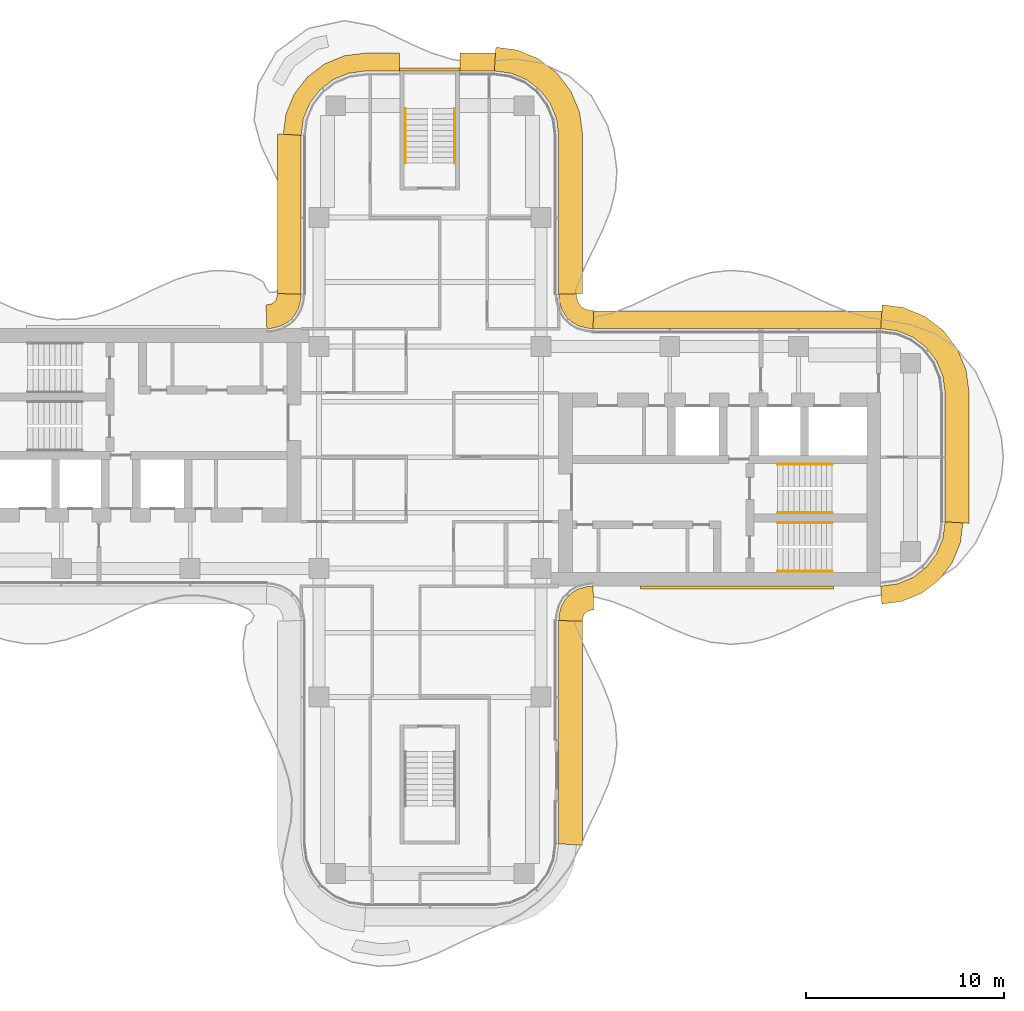
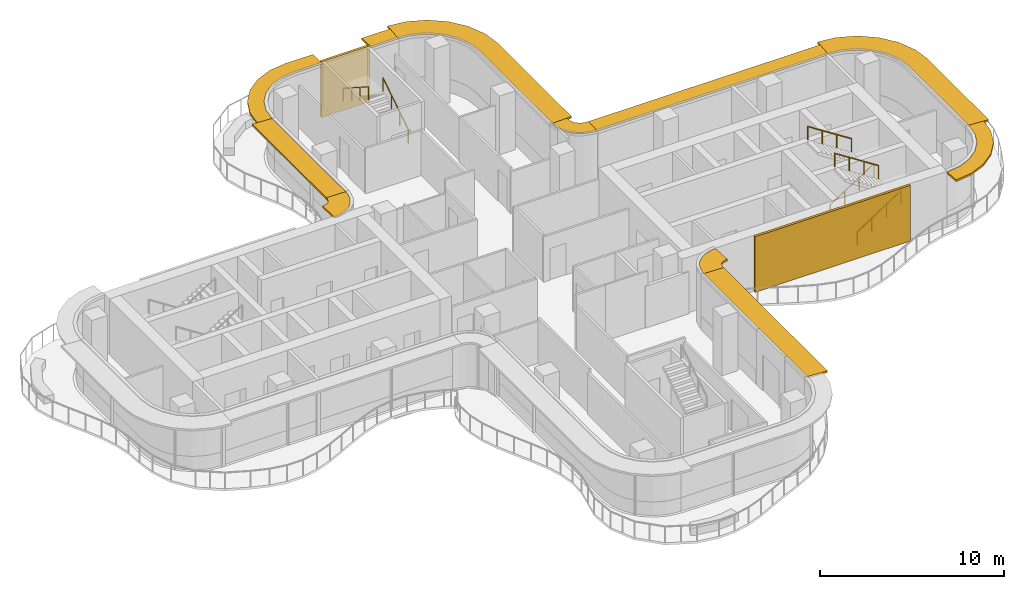
# One storey, part 16 of 16: 11 shading devices, 6 railings, 2 coverings.
"""IFC4 building model written with IfcOpenShell, lengths in metres."""

from ifc_helpers import new_model, si_unit, direction, frame, origin, origin_2d, place, context, subcontext, project, spatial, polyline, circle, outline, extrude, source, transform, mapped, material, layer, layer_set, type_object, element, save


model = new_model("IFC4")

# Units and contexts
model_context = context("Model", 3, precision=1e-05, world=origin(), true_north=direction((0.0, 1.0)))
body_context = subcontext(model_context, "Body", "Model", "MODEL_VIEW")
ifc_project = project(units=[si_unit("LENGTHUNIT", "METRE"), si_unit("AREAUNIT", "SQUARE_METRE"), si_unit("VOLUMEUNIT", "CUBIC_METRE"), si_unit("PLANEANGLEUNIT", "RADIAN"), si_unit("MASSUNIT", "GRAM", prefix="KILO")], contexts=[model_context])

# Site, building, storey
site_placement = place(None, origin())
site = spatial("IfcSite", under=ifc_project, at=site_placement, CompositionType="ELEMENT")
building_placement = place(site_placement, origin())
building = spatial("IfcBuilding", under=site, at=building_placement, Name="Trellis Farm Tower", CompositionType="ELEMENT")
storey_placement = place(building_placement, frame((0.0, 0.0, 318.39990234375)))
storey = spatial("IfcBuildingStorey", under=building, at=storey_placement, Name="L72", CompositionType="ELEMENT", Elevation=318.39990234375)

# Covering
ifc_material_1 = material(Name="Perforated precast screen (cobogo)", Category="concrete")
ifc_layer_1 = layer(ifc_material_1, 0.14990234375)
ifc_layer_set_1 = layer_set([ifc_layer_1], Name="COBOGO SCREEN PANEL")
covering_type = type_object("IfcCoveringType", Name="COBOGO SCREEN PANEL", PredefinedType="USERDEFINED", material=ifc_layer_set_1)
placement_1 = place(storey_placement, origin())
element("IfcCovering", 1, at=placement_1, inside=storey, type_object=covering_type, Name="SC1 02", ObjectType="SCREEN", PredefinedType="USERDEFINED", context=body_context, shape_type="SweptSolid", body=[
    extrude(outline(polyline([(1.530029296875, 19.64990234375), (-1.530029296875, 19.64990234375), (-1.530029296875, 19.5), (1.530029296875, 19.5), (1.530029296875, 19.64990234375)])), origin(), (0.0, 0.0, 1.0), 3.7001953125),
])

# Railings
ifc_material_2 = material(Name="Stainless steel", Category="steel")
railing_type = type_object("IfcRailingType", Name="STAIR HANDRAIL 900", PredefinedType="HANDRAIL", material=ifc_material_2)
shared_shape_1 = source(origin(), body_context, "Body", "SweptSolid", [
    extrude(circle(Radius=0.02392578125, at=origin_2d()), frame((0.0, 0.0, 0.8759765625), z_axis=(0.0, 0.840503830235, 0.541805602924), x_axis=(-1.0, 0.0, 0.0)), (0.0, 0.0, 1.0), 3.271728515625),
    extrude(circle(Radius=0.02099609375, at=origin_2d()), origin(), (0.0, 0.0, 1.0), 0.851806640625),
    extrude(circle(Radius=0.02099609375, at=origin_2d()), frame((0.0, 0.916748046875, 0.5908203125)), (0.0, 0.0, 1.0), 0.851806640625),
    extrude(circle(Radius=0.02099609375, at=origin_2d()), frame((0.0, 1.833251953125, 1.181884765625)), (0.0, 0.0, 1.0), 0.851806640625),
    extrude(circle(Radius=0.02099609375, at=origin_2d()), frame((0.0, 2.75, 1.772705078125)), (0.0, 0.0, 1.0), 0.851806640625),
])
railing_1_placement = place(storey_placement, frame((1.25, 14.85009765625, 0.177490234375)))
element("IfcRailing", 2, at=railing_1_placement, inside=storey, type_object=railing_type, Name="Stair handrail", PredefinedType="HANDRAIL", context=body_context, shape_type="MappedRepresentation", body=[
    mapped(shared_shape_1, transform((0.0, 0.0, 0.0))),
])
shared_shape_2 = source(origin(), body_context, "Body", "SweptSolid", [
    extrude(circle(Radius=0.02392578125, at=origin_2d()), frame((0.0, 0.0, 0.8759765625), z_axis=(0.0, -0.840503830235, 0.541805602924), x_axis=(1.0, 0.0, 0.0)), (0.0, 0.0, 1.0), 3.271728515625),
    extrude(circle(Radius=0.02099609375, at=origin_2d()), origin(), (0.0, 0.0, 1.0), 0.851806640625),
    extrude(circle(Radius=0.02099609375, at=origin_2d()), frame((0.0, -0.916748046875, 0.5908203125)), (0.0, 0.0, 1.0), 0.851806640625),
    extrude(circle(Radius=0.02099609375, at=origin_2d()), frame((0.0, -1.833251953125, 1.181884765625)), (0.0, 0.0, 1.0), 0.851806640625),
    extrude(circle(Radius=0.02099609375, at=origin_2d()), frame((0.0, -2.75, 1.772705078125)), (0.0, 0.0, 1.0), 0.851806640625),
])
railing_2_placement = place(storey_placement, frame((-1.25, 17.60009765625, 2.12744140625)))
element("IfcRailing", 3, at=railing_2_placement, inside=storey, type_object=railing_type, Name="Stair handrail", PredefinedType="HANDRAIL", context=body_context, shape_type="MappedRepresentation", body=[
    mapped(shared_shape_2, transform((0.0, 0.0, 0.0))),
])
shared_shape_3 = source(origin(), body_context, "Body", "SweptSolid", [
    extrude(circle(Radius=0.02392578125, at=origin_2d()), frame((0.0, 0.0, 0.8759765625), z_axis=(0.840503830235, 0.0, 0.541805602924), x_axis=(0.0, 1.0, 0.0)), (0.0, 0.0, 1.0), 3.271728515625),
    extrude(circle(Radius=0.02099609375, at=origin_2d()), origin(), (0.0, 0.0, 1.0), 0.851806640625),
    extrude(circle(Radius=0.02099609375, at=origin_2d()), frame((0.916748046875, 0.0, 0.5908203125)), (0.0, 0.0, 1.0), 0.851806640625),
    extrude(circle(Radius=0.02099609375, at=origin_2d()), frame((1.833251953125, 0.0, 1.181884765625)), (0.0, 0.0, 1.0), 0.851806640625),
    extrude(circle(Radius=0.02099609375, at=origin_2d()), frame((2.75, 0.0, 1.772705078125)), (0.0, 0.0, 1.0), 0.851806640625),
])
for number, where, name in (
    (4, (17.550048828125, -5.75, 0.177490234375), "Stair handrail"),
    (5, (17.550048828125, -2.800048828125, 0.177490234375), "Stair handrail"),
):
    element("IfcRailing", number, at=place(storey_placement, frame(where)), inside=storey, type_object=railing_type, Name=name, PredefinedType="HANDRAIL", context=body_context, shape_type="MappedRepresentation", body=[
        mapped(shared_shape_3, transform((0.0, 0.0, 0.0))),
    ])
shared_shape_4 = source(origin(), body_context, "Body", "SweptSolid", [
    extrude(circle(Radius=0.02392578125, at=origin_2d()), frame((0.0, 0.0, 0.8759765625), z_axis=(-0.840503830235, 0.0, 0.541805602924), x_axis=(0.0, -1.0, 0.0)), (0.0, 0.0, 1.0), 3.271728515625),
    extrude(circle(Radius=0.02099609375, at=origin_2d()), origin(), (0.0, 0.0, 1.0), 0.851806640625),
    extrude(circle(Radius=0.02099609375, at=origin_2d()), frame((-0.916748046875, 0.0, 0.5908203125)), (0.0, 0.0, 1.0), 0.851806640625),
    extrude(circle(Radius=0.02099609375, at=origin_2d()), frame((-1.833251953125, 0.0, 1.181884765625)), (0.0, 0.0, 1.0), 0.851806640625),
    extrude(circle(Radius=0.02099609375, at=origin_2d()), frame((-2.75, 0.0, 1.772705078125)), (0.0, 0.0, 1.0), 0.851806640625),
])
for number, where, name in (
    (6, (20.300048828125, -3.300048828125, 2.12744140625), "Stair handrail"),
    (7, (20.300048828125, -0.35009765625, 2.12744140625), "Stair handrail"),
):
    element("IfcRailing", number, at=place(storey_placement, frame(where)), inside=storey, type_object=railing_type, Name=name, PredefinedType="HANDRAIL", context=body_context, shape_type="MappedRepresentation", body=[
        mapped(shared_shape_4, transform((0.0, 0.0, 0.0))),
    ])

# Shading devices
ifc_material_3 = material(Name="Aluminium extrusion 6063-T6", Category="aluminium")
ifc_layer_2 = layer(ifc_material_3, 0.1201171875)
ifc_layer_set_2 = layer_set([ifc_layer_2], Name="SUNSHADE BLADE 1200")
shading_device_type_1 = type_object("IfcShadingDeviceType", Name="SUNSHADE BLADE 1200", PredefinedType="USERDEFINED", material=ifc_layer_set_2)
shared_shape_5 = source(origin(), body_context, "Body", "SweptSolid", [
    extrude(outline(polyline([(7.699951171875, -8.270751953125), (7.708740234375, -8.13720703125), (7.70703125, -8.150146484375), (7.7548828125, -7.9716796875), (7.80712890625, -7.881103515625), (7.881103515625, -7.80712890625), (7.9716796875, -7.7548828125), (8.150146484375, -7.70703125), (8.13720703125, -7.708740234375), (8.270751953125, -7.699951171875), (8.2314453125, -6.5), (8.01953125, -6.513916015625), (7.91552734375, -6.527587890625), (7.508544921875, -6.63671875), (7.144287109375, -6.846923828125), (6.846923828125, -7.144287109375), (6.63671875, -7.508544921875), (6.527587890625, -7.91552734375), (6.513916015625, -8.01953125), (6.5, -8.2314453125), (7.699951171875, -8.270751953125)])), origin(), (0.0, 0.0, 1.0), 0.1201171875),
])
placement_2 = place(storey_placement, frame((0.0, 0.0, 3.5400390625)))
element("IfcShadingDevice", 8, at=placement_2, inside=storey, type_object=shading_device_type_1, Name="SD2 006", ObjectType="SUNSHADE", PredefinedType="USERDEFINED", context=body_context, shape_type="MappedRepresentation", body=[
    mapped(shared_shape_5, transform((0.0, 0.0, 0.0))),
])
ifc_layer_3 = layer(ifc_material_3, 0.1201171875)
ifc_layer_set_3 = layer_set([ifc_layer_3], Name="SUNSHADE BLADE 900")
shading_device_type_2 = type_object("IfcShadingDeviceType", Name="SUNSHADE BLADE 900", PredefinedType="USERDEFINED", material=ifc_layer_set_3)
shared_shape_6 = source(origin(), body_context, "Body", "SweptSolid", [
    extrude(outline(polyline([(8.2607421875, 7.39990234375), (8.107666015625, 7.409912109375), (8.091552734375, 7.412109375), (7.85595703125, 7.475341796875), (7.697021484375, 7.567138671875), (7.567138671875, 7.697021484375), (7.475341796875, 7.85595703125), (7.412109375, 8.091552734375), (7.409912109375, 8.107666015625), (7.39990234375, 8.2607421875), (6.5, 8.2314453125), (6.513916015625, 8.01953125), (6.527587890625, 7.91552734375), (6.63671875, 7.508544921875), (6.846923828125, 7.144287109375), (7.144287109375, 6.846923828125), (7.508544921875, 6.63671875), (7.91552734375, 6.527587890625), (8.01953125, 6.513916015625), (8.2314453125, 6.5), (8.2607421875, 7.39990234375)])), origin(), (0.0, 0.0, 1.0), 0.1201171875),
])
element("IfcShadingDevice", 9, at=placement_2, inside=storey, type_object=shading_device_type_2, Name="SD1 010", ObjectType="SUNSHADE", PredefinedType="USERDEFINED", context=body_context, shape_type="MappedRepresentation", body=[
    mapped(shared_shape_6, transform((0.0, 0.0, 0.0))),
])
shared_shape_7 = source(origin(), body_context, "Body", "SweptSolid", [
    extrude(outline(polyline([(-7.699951171875, 8.270751953125), (-7.708740234375, 8.13720703125), (-7.70703125, 8.150146484375), (-7.7548828125, 7.9716796875), (-7.80712890625, 7.881103515625), (-7.881103515625, 7.80712890625), (-7.9716796875, 7.7548828125), (-8.150146484375, 7.70703125), (-8.13720703125, 7.708740234375), (-8.270751953125, 7.699951171875), (-8.2314453125, 6.5), (-8.01953125, 6.513916015625), (-7.91552734375, 6.527587890625), (-7.508544921875, 6.63671875), (-7.144287109375, 6.846923828125), (-6.846923828125, 7.144287109375), (-6.63671875, 7.508544921875), (-6.527587890625, 7.91552734375), (-6.513916015625, 8.01953125), (-6.5, 8.2314453125), (-7.699951171875, 8.270751953125)])), origin(), (0.0, 0.0, 1.0), 0.1201171875),
])
element("IfcShadingDevice", 10, at=placement_2, inside=storey, type_object=shading_device_type_1, Name="SD2 015", ObjectType="SUNSHADE", PredefinedType="USERDEFINED", context=body_context, shape_type="MappedRepresentation", body=[
    mapped(shared_shape_7, transform((0.0, 0.0, 0.0))),
])
shared_shape_8 = source(origin(), body_context, "Body", "SweptSolid", [
    extrude(outline(polyline([(22.80908203125, -7.39990234375), (23.826171875, -7.26611328125), (24.828857421875, -6.850830078125), (25.68994140625, -6.18994140625), (26.350830078125, -5.328857421875), (26.76611328125, -4.326171875), (26.89990234375, -3.30908203125), (26.0, -3.25), (25.88916015625, -4.091064453125), (25.564697265625, -4.875), (25.048095703125, -5.548095703125), (24.375, -6.064697265625), (23.591064453125, -6.38916015625), (22.75, -6.5), (22.80908203125, -7.39990234375)])), origin(), (0.0, 0.0, 1.0), 0.1201171875),
])
element("IfcShadingDevice", 11, at=placement_2, inside=storey, type_object=shading_device_type_2, Name="SD1 007", ObjectType="SUNSHADE", PredefinedType="USERDEFINED", context=body_context, shape_type="MappedRepresentation", body=[
    mapped(shared_shape_8, transform((0.0, 0.0, 0.0))),
])
shared_shape_9 = source(origin(), body_context, "Body", "SweptSolid", [
    extrude(outline(polyline([(27.199951171875, -3.32861328125), (27.199951171875, 3.32861328125), (27.058349609375, 4.404541015625), (26.61279296875, 5.480224609375), (25.904052734375, 6.404052734375), (24.980224609375, 7.11279296875), (23.904541015625, 7.558349609375), (22.82861328125, 7.699951171875), (22.75, 6.5), (23.591064453125, 6.38916015625), (24.375, 6.064697265625), (25.048095703125, 5.548095703125), (25.564697265625, 4.875), (25.88916015625, 4.091064453125), (26.0, 3.25), (26.0, -3.25), (27.199951171875, -3.32861328125)])), origin(), (0.0, 0.0, 1.0), 0.1201171875),
])
element("IfcShadingDevice", 12, at=placement_2, inside=storey, type_object=shading_device_type_1, Name="SD2 008", ObjectType="SUNSHADE", PredefinedType="USERDEFINED", context=body_context, shape_type="MappedRepresentation", body=[
    mapped(shared_shape_9, transform((0.0, 0.0, 0.0))),
])
shared_shape_10 = source(origin(), body_context, "Body", "SweptSolid", [
    extrude(outline(polyline([(22.80908203125, 7.39990234375), (8.2607421875, 7.39990234375), (8.2314453125, 6.5), (22.75, 6.5), (22.80908203125, 7.39990234375)])), origin(), (0.0, 0.0, 1.0), 0.1201171875),
])
element("IfcShadingDevice", 13, at=placement_2, inside=storey, type_object=shading_device_type_2, Name="SD1 009", ObjectType="SUNSHADE", PredefinedType="USERDEFINED", context=body_context, shape_type="MappedRepresentation", body=[
    mapped(shared_shape_10, transform((0.0, 0.0, 0.0))),
])
shared_shape_11 = source(origin(), body_context, "Body", "SweptSolid", [
    extrude(outline(polyline([(7.699951171875, -19.57861328125), (7.699951171875, -8.270751953125), (6.5, -8.2314453125), (6.5, -19.5), (7.699951171875, -19.57861328125)])), origin(), (0.0, 0.0, 1.0), 0.1201171875),
])
element("IfcShadingDevice", 14, at=placement_2, inside=storey, type_object=shading_device_type_1, Name="SD2 005", ObjectType="SUNSHADE", PredefinedType="USERDEFINED", context=body_context, shape_type="MappedRepresentation", body=[
    mapped(shared_shape_11, transform((0.0, 0.0, 0.0))),
])

# Covering
shared_shape_12 = source(origin(), body_context, "Body", "SweptSolid", [
    extrude(outline(polyline([(10.61572265625, -6.64990234375), (20.36572265625, -6.64990234375), (20.36572265625, -6.5), (10.61572265625, -6.5), (10.61572265625, -6.64990234375)])), origin(), (0.0, 0.0, 1.0), 3.7001953125),
])
element("IfcCovering", 15, at=placement_1, inside=storey, type_object=covering_type, Name="SC1 01", ObjectType="SCREEN", PredefinedType="USERDEFINED", context=body_context, shape_type="MappedRepresentation", body=[
    mapped(shared_shape_12, transform((0.0, 0.0, 0.0))),
])

# Shading devices
shared_shape_13 = source(origin(), body_context, "Body", "SweptSolid", [
    extrude(outline(polyline([(7.699951171875, 8.270751953125), (7.699951171875, 16.32861328125), (7.558349609375, 17.404541015625), (7.11279296875, 18.480224609375), (6.404052734375, 19.404052734375), (5.480224609375, 20.11279296875), (4.404541015625, 20.558349609375), (3.32861328125, 20.699951171875), (3.25, 19.5), (4.091064453125, 19.38916015625), (4.875, 19.064697265625), (5.548095703125, 18.548095703125), (6.064697265625, 17.875), (6.38916015625, 17.091064453125), (6.5, 16.25), (6.5, 8.2314453125), (7.699951171875, 8.270751953125)])), origin(), (0.0, 0.0, 1.0), 0.1201171875),
])
element("IfcShadingDevice", 16, at=placement_2, inside=storey, type_object=shading_device_type_1, Name="SD2 011", ObjectType="SUNSHADE", PredefinedType="USERDEFINED", context=body_context, shape_type="MappedRepresentation", body=[
    mapped(shared_shape_13, transform((0.0, 0.0, 0.0))),
])
shared_shape_14 = source(origin(), body_context, "Body", "SweptSolid", [
    extrude(outline(polyline([(3.30908203125, 20.39990234375), (1.530029296875, 20.39990234375), (1.530029296875, 19.5), (3.25, 19.5), (3.30908203125, 20.39990234375)])), origin(), (0.0, 0.0, 1.0), 0.1201171875),
])
element("IfcShadingDevice", 17, at=placement_2, inside=storey, type_object=shading_device_type_2, Name="SD1 012", ObjectType="SUNSHADE", PredefinedType="USERDEFINED", context=body_context, shape_type="MappedRepresentation", body=[
    mapped(shared_shape_14, transform((0.0, 0.0, 0.0))),
])
shared_shape_15 = source(origin(), body_context, "Body", "SweptSolid", [
    extrude(outline(polyline([(-1.530029296875, 20.39990234375), (-3.30908203125, 20.39990234375), (-4.326171875, 20.26611328125), (-5.328857421875, 19.850830078125), (-6.18994140625, 19.18994140625), (-6.850830078125, 18.328857421875), (-7.26611328125, 17.326171875), (-7.39990234375, 16.30908203125), (-6.5, 16.25), (-6.38916015625, 17.091064453125), (-6.064697265625, 17.875), (-5.548095703125, 18.548095703125), (-4.875, 19.064697265625), (-4.091064453125, 19.38916015625), (-3.25, 19.5), (-1.530029296875, 19.5), (-1.530029296875, 20.39990234375)])), origin(), (0.0, 0.0, 1.0), 0.1201171875),
])
element("IfcShadingDevice", 18, at=placement_2, inside=storey, type_object=shading_device_type_2, Name="SD1 013", ObjectType="SUNSHADE", PredefinedType="USERDEFINED", context=body_context, shape_type="MappedRepresentation", body=[
    mapped(shared_shape_15, transform((0.0, 0.0, 0.0))),
])
shared_shape_16 = source(origin(), body_context, "Body", "SweptSolid", [
    extrude(outline(polyline([(-7.699951171875, 16.32861328125), (-7.699951171875, 8.270751953125), (-6.5, 8.2314453125), (-6.5, 16.25), (-7.699951171875, 16.32861328125)])), origin(), (0.0, 0.0, 1.0), 0.1201171875),
])
element("IfcShadingDevice", 19, at=placement_2, inside=storey, type_object=shading_device_type_1, Name="SD2 014", ObjectType="SUNSHADE", PredefinedType="USERDEFINED", context=body_context, shape_type="MappedRepresentation", body=[
    mapped(shared_shape_16, transform((0.0, 0.0, 0.0))),
])

save(model, "model.ifc")
